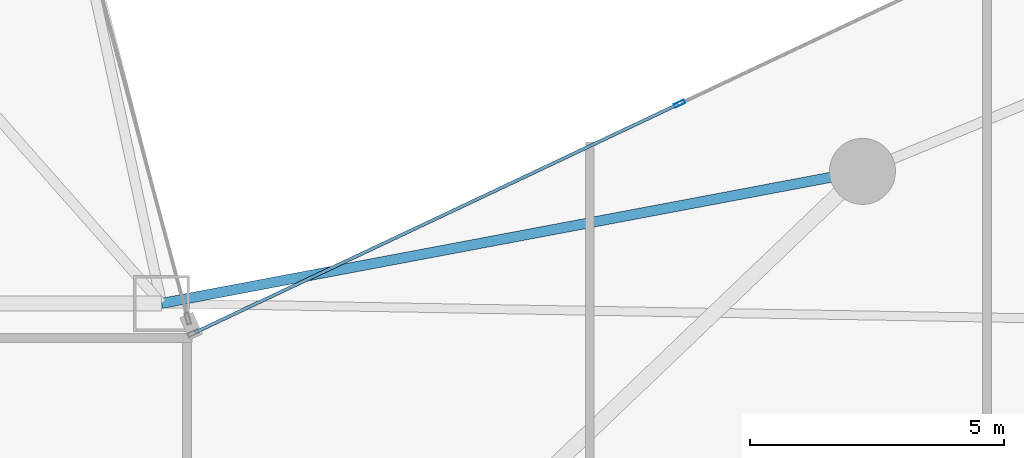
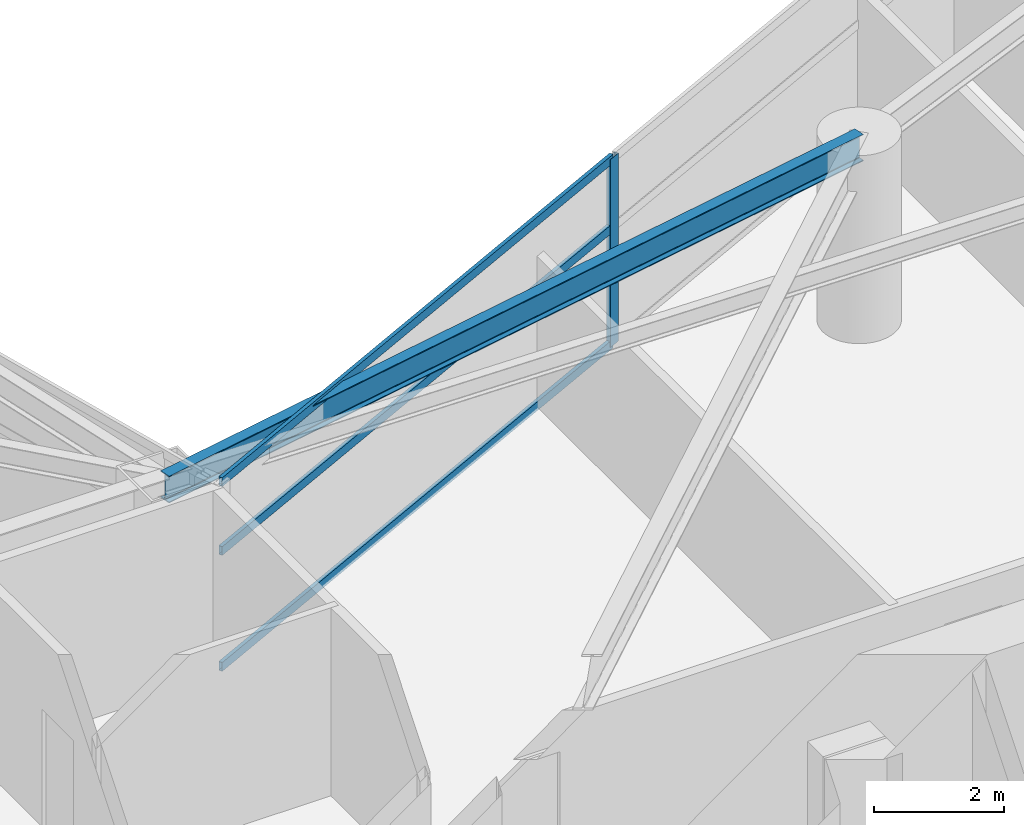
# One storey, part 10 of 28: 4 members, 1 beam, 1 element without a shape of its own.
"""IFC4 building model written with IfcOpenShell, lengths in metres."""

from ifc_helpers import new_model, si_unit, direction, frame, origin, origin_2d, place, context, subcontext, project, spatial, hollow_rectangle, i_section, extrude, material, layer, layer_set, material_profile, profile_set, type_object, element, aggregate, save


model = new_model("IFC4")

# Units and contexts
model_context = context("Model", 3, precision=1e-05, world=origin(), true_north=direction((0.0, 1.0)))
body_context = subcontext(model_context, "Body", "Model", "MODEL_VIEW")
ifc_project = project(units=[si_unit("LENGTHUNIT", "METRE"), si_unit("AREAUNIT", "SQUARE_METRE"), si_unit("VOLUMEUNIT", "CUBIC_METRE"), si_unit("PLANEANGLEUNIT", "RADIAN"), si_unit("MASSUNIT", "GRAM", prefix="KILO")], contexts=[model_context])

# Site, building, storey
site_placement = place(None, origin())
site = spatial("IfcSite", under=ifc_project, at=site_placement, CompositionType="ELEMENT")
building_placement = place(site_placement, origin())
building = spatial("IfcBuilding", under=site, at=building_placement, Name="Calvorn Quay Hotel", CompositionType="ELEMENT")
storey_placement = place(building_placement, frame((0.0, 0.0, 42.199951171875)))
storey = spatial("IfcBuildingStorey", under=building, at=storey_placement, Name="L09", CompositionType="ELEMENT", Elevation=42.199951171875)

# Beam
ifc_material_1 = material(Name="Steel Q355B", Category="steel")
ifc_material_profile_1 = material_profile(ifc_material_1, i_section(OverallWidth=0.199951171875, OverallDepth=0.5, WebThickness=0.010009765625, FlangeThickness=0.01611328125, FilletRadius=0.01611328125, at=origin_2d()), Name="HN500x200x10x16")
ifc_profile_set_1 = profile_set([ifc_material_profile_1], Name="Steel Q355B")
beam_type = type_object("IfcBeamType", Name="BM-SPANDREL-Z1", PredefinedType="SPANDREL", material=ifc_profile_set_1)
beam_placement = place(storey_placement, frame((34.800048828125, 27.60009765625, 3.27001953125), z_axis=(-0.982709432406, -0.185154452988, 0.0), x_axis=(0.185154452988, -0.982709432406, 0.0)))
element("IfcBeam", 1, at=beam_placement, inside=storey, type_object=beam_type, Name="Beam BSP-L09-E5", PredefinedType="SPANDREL", context=body_context, shape_type="SweptSolid", body=[
    extrude(i_section(OverallWidth=0.199951171875, OverallDepth=0.5, WebThickness=0.010009765625, FlangeThickness=0.01611328125, FilletRadius=0.01611328125, at=origin_2d()), origin(), (0.0, 0.0, 1.0), 14.04296875),
])

# Curtain wall, members
ifc_material_2 = material(Name="Pale Anodised Aluminium and Low-E Glass", Category="aluminium")
ifc_layer = layer(ifc_material_2, 0.219970703125)
ifc_layer_set = layer_set([ifc_layer], Name="CW-SYS-Z1")
curtain_wall_type = type_object("IfcCurtainWallType", Name="CW-SYS-Z1", PredefinedType="NOTDEFINED", material=ifc_layer_set)
curtain_wall_placement = place(storey_placement, origin())
curtain_wall = element("IfcCurtainWall", 2, at=curtain_wall_placement, inside=storey, type_object=curtain_wall_type, Name="Inner Court Curtain Wall L09-NE1", PredefinedType="NOTDEFINED")
ifc_material_3 = material(Name="Pale Anodised Aluminium 6063-T6", Category="aluminium")
ifc_material_profile_2 = material_profile(ifc_material_3, hollow_rectangle(XDim=0.074951171875, YDim=0.219970703125, WallThickness=0.00439453125, at=origin_2d()), Name="ALU-M220x75x4.5")
ifc_profile_set_2 = profile_set([ifc_material_profile_2], Name="Pale Anodised Aluminium 6063-T6")
member_type_1 = type_object("IfcMemberType", Name="CW-SYS-Z1-MUL", PredefinedType="MULLION", material=ifc_profile_set_2)
member_1_placement = place(storey_placement, frame((31.199951171875, 28.933349609375, 0.0), z_axis=(0.0, 0.0, 1.0), x_axis=(0.427006305415, -0.904248646743, 0.0)))
member_1 = element("IfcMember", 3, at=member_1_placement, type_object=member_type_1, Name="CW-L09-NE1 mullion 3", PredefinedType="MULLION", context=body_context, shape_type="SweptSolid", body=[
    extrude(hollow_rectangle(XDim=0.074951171875, YDim=0.219970703125, WallThickness=0.00439453125, at=origin_2d()), origin(), (0.0, 0.0, 1.0), 3.52001953125),
])
ifc_material_4 = material(Name="Pale Anodised Aluminium 6063-T6", Category="aluminium")
ifc_material_profile_3 = material_profile(ifc_material_4, hollow_rectangle(XDim=0.06494140625, YDim=0.1650390625, WallThickness=0.00341796875, at=origin_2d()), Name="ALU-T165x65x3.5")
ifc_profile_set_3 = profile_set([ifc_material_profile_3], Name="Pale Anodised Aluminium 6063-T6")
member_type_2 = type_object("IfcMemberType", Name="CW-SYS-Z1-TRN", PredefinedType="USERDEFINED", material=ifc_profile_set_3)
member_2_placement = place(storey_placement, frame((31.1728515625, 28.92041015625, 0.030029296875), z_axis=(-0.904248646746, -0.427006305408, 0.0), x_axis=(0.427006305408, -0.904248646746, 0.0)))
member_2 = element("IfcMember", 4, at=member_2_placement, type_object=member_type_2, Name="CW-L09-NE1 transom 3.1", ObjectType="TRANSOM", PredefinedType="USERDEFINED", context=body_context, shape_type="SweptSolid", body=[
    extrude(hollow_rectangle(XDim=0.06494140625, YDim=0.1650390625, WallThickness=0.00341796875, at=origin_2d()), origin(), (0.0, 0.0, 1.0), 10.5263671875),
])
member_3_placement = place(storey_placement, frame((31.1728515625, 28.92041015625, 2.199951171875), z_axis=(-0.904248646746, -0.427006305408, 0.0), x_axis=(0.427006305408, -0.904248646746, 0.0)))
member_3 = element("IfcMember", 5, at=member_3_placement, type_object=member_type_2, Name="CW-L09-NE1 transom 3.2", ObjectType="TRANSOM", PredefinedType="USERDEFINED", context=body_context, shape_type="SweptSolid", body=[
    extrude(hollow_rectangle(XDim=0.06494140625, YDim=0.1650390625, WallThickness=0.00341796875, at=origin_2d()), origin(), (0.0, 0.0, 1.0), 10.5263671875),
])
member_4_placement = place(storey_placement, frame((31.1728515625, 28.92041015625, 3.489990234375), z_axis=(-0.904248646746, -0.427006305408, 0.0), x_axis=(0.427006305408, -0.904248646746, 0.0)))
member_4 = element("IfcMember", 6, at=member_4_placement, type_object=member_type_2, Name="CW-L09-NE1 transom 3.3", ObjectType="TRANSOM", PredefinedType="USERDEFINED", context=body_context, shape_type="SweptSolid", body=[
    extrude(hollow_rectangle(XDim=0.06494140625, YDim=0.1650390625, WallThickness=0.00341796875, at=origin_2d()), origin(), (0.0, 0.0, 1.0), 10.5263671875),
])
aggregate(curtain_wall, [member_1, member_2, member_3, member_4])

save(model, "model.ifc")
